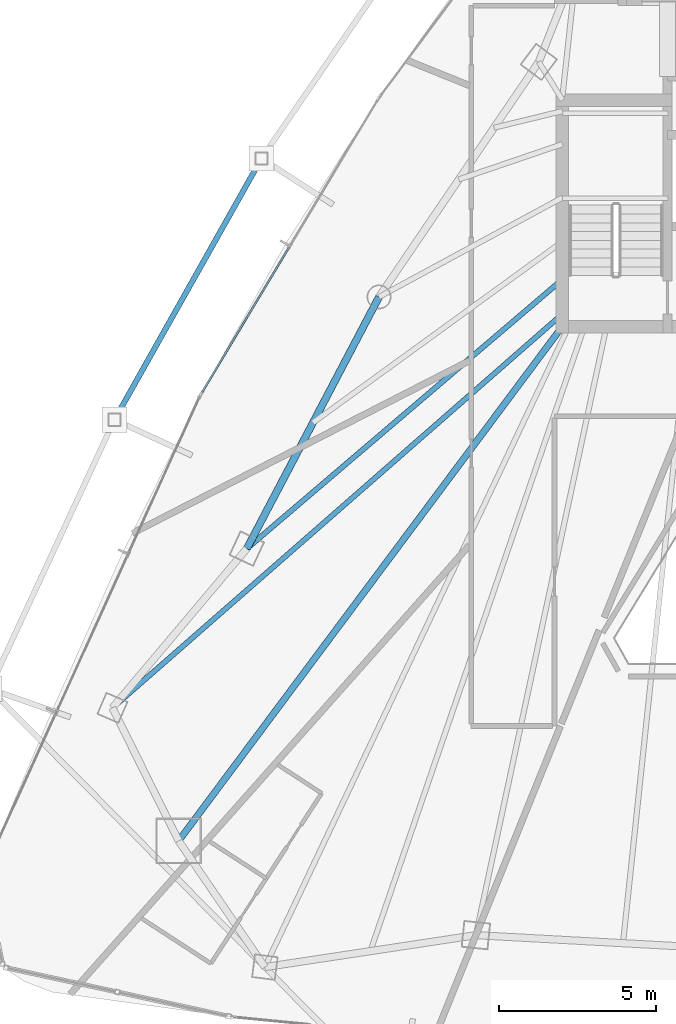
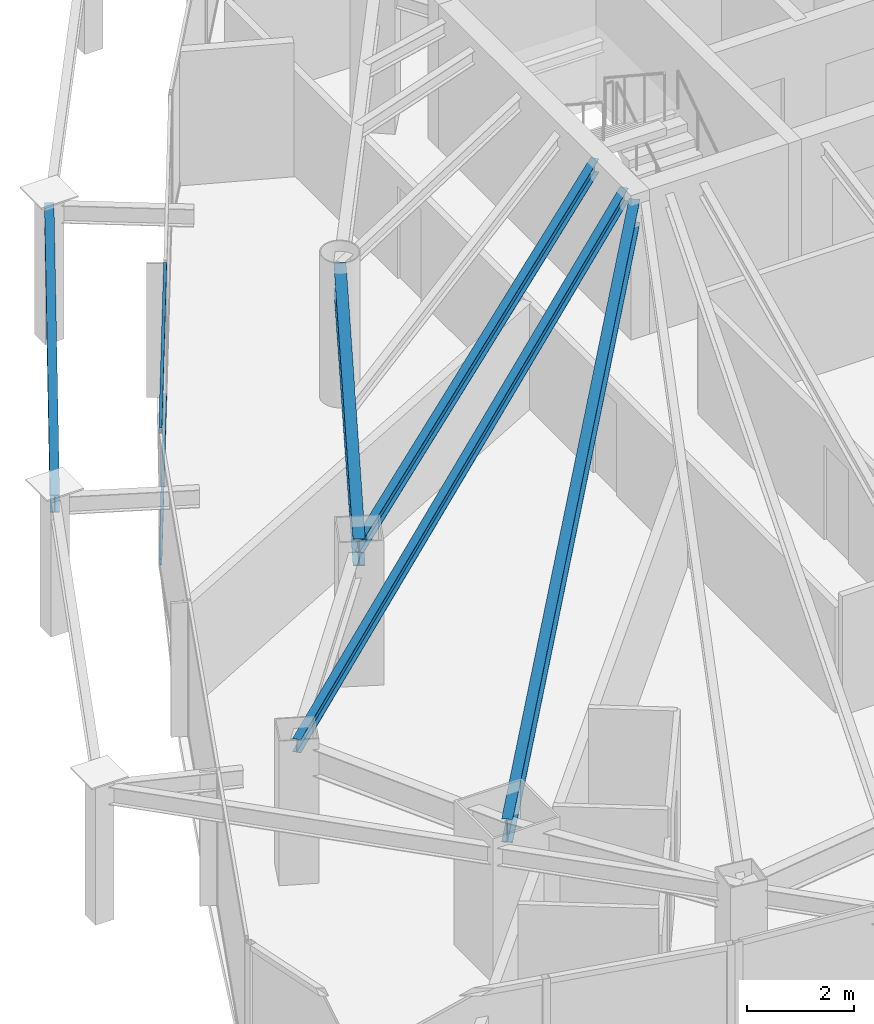
# One storey, part 11 of 31: 5 beams, 2 members, 1 element without a shape of its own.
"""IFC4 building model written with IfcOpenShell, lengths in metres."""

from ifc_helpers import new_model, si_unit, direction, frame, origin, origin_2d, place, context, subcontext, project, spatial, hollow_rectangle, i_section, extrude, material, layer, layer_set, material_profile, profile_set, type_object, element, aggregate, save


model = new_model("IFC4")

# Units and contexts
model_context = context("Model", 3, precision=1e-05, world=origin(), true_north=direction((0.0, 1.0)))
body_context = subcontext(model_context, "Body", "Model", "MODEL_VIEW")
ifc_project = project(units=[si_unit("LENGTHUNIT", "METRE"), si_unit("AREAUNIT", "SQUARE_METRE"), si_unit("VOLUMEUNIT", "CUBIC_METRE"), si_unit("PLANEANGLEUNIT", "RADIAN"), si_unit("MASSUNIT", "GRAM", prefix="KILO")], contexts=[model_context])

# Site, building, storey
site_placement = place(None, origin())
site = spatial("IfcSite", under=ifc_project, at=site_placement, CompositionType="ELEMENT")
building_placement = place(site_placement, origin())
building = spatial("IfcBuilding", under=site, at=building_placement, Name="Orvanel Arch Residences", CompositionType="ELEMENT")
storey_placement = place(building_placement, frame((0.0, 0.0, 157.25)))
storey = spatial("IfcBuildingStorey", under=building, at=storey_placement, Name="L44", CompositionType="ELEMENT", Elevation=157.25)

# Beams
ifc_material_1 = material(Name="Structural steel AS/NZS 3679.1 Grade 300 (300 MPa)", Category="steel")
ifc_material_profile_1 = material_profile(ifc_material_1, i_section(OverallWidth=0.208984375, OverallDepth=0.532958984375, WebThickness=0.01025390625, FlangeThickness=0.015625, at=origin_2d()), Name="530UB92.4")
ifc_profile_set_1 = profile_set([ifc_material_profile_1], Name="Structural steel AS/NZS 3679.1 Grade 300 (300 MPa)")
beam_type_1 = type_object("IfcBeamType", Name="BG-530UB", PredefinedType="BEAM", material=ifc_profile_set_1)
beam_1_placement = place(storey_placement, frame((26.375, 26.675048828125, 2.79296875), z_axis=(-0.597893733742, -0.801575375839, 0.0), x_axis=(0.801575375839, -0.597893733742, 0.0)))
element("IfcBeam", 1, at=beam_1_placement, inside=storey, type_object=beam_type_1, Name="L44 South-West Radial Girder", PredefinedType="BEAM", context=body_context, shape_type="SweptSolid", body=[
    extrude(i_section(OverallWidth=0.208984375, OverallDepth=0.532958984375, WebThickness=0.01025390625, FlangeThickness=0.015625, at=origin_2d()), origin(), (0.0, 0.0, 1.0), 20.36474609375),
])
ifc_material_profile_2 = material_profile(ifc_material_1, i_section(OverallWidth=0.1650390625, OverallDepth=0.303955078125, WebThickness=0.006103515625, FlangeThickness=0.01025390625, at=origin_2d()), Name="310UB40.4")
ifc_profile_set_2 = profile_set([ifc_material_profile_2], Name="Structural steel AS/NZS 3679.1 Grade 300 (300 MPa)")
beam_type_2 = type_object("IfcBeamType", Name="BJ-310UB", PredefinedType="JOIST", material=ifc_profile_set_2)
beam_2_placement = place(storey_placement, frame((26.39990234375, 28.199951171875, 2.907958984375), z_axis=(-0.760821315761, -0.648961420644, 0.0), x_axis=(0.648961420644, -0.760821315761, 0.0)))
element("IfcBeam", 2, at=beam_2_placement, inside=storey, type_object=beam_type_2, Name="L44 W Wing Floor Joist", PredefinedType="JOIST", context=body_context, shape_type="SweptSolid", body=[
    extrude(i_section(OverallWidth=0.1650390625, OverallDepth=0.303955078125, WebThickness=0.006103515625, FlangeThickness=0.01025390625, at=origin_2d()), origin(), (0.0, 0.0, 1.0), 13.18701171875),
])
beam_3_placement = place(storey_placement, frame((26.39990234375, 27.10009765625, 2.907958984375), z_axis=(-0.752493154183, -0.658600070534, 0.0), x_axis=(0.658600070534, -0.752493154183, 0.0)))
element("IfcBeam", 3, at=beam_3_placement, inside=storey, type_object=beam_type_2, Name="L44 MW Wing Floor Joist", PredefinedType="JOIST", context=body_context, shape_type="SweptSolid", body=[
    extrude(i_section(OverallWidth=0.1650390625, OverallDepth=0.303955078125, WebThickness=0.006103515625, FlangeThickness=0.01025390625, at=origin_2d()), origin(), (0.0, 0.0, 1.0), 19.010009765625),
])
ifc_material_profile_3 = material_profile(ifc_material_1, i_section(OverallWidth=0.177978515625, OverallDepth=0.406005859375, WebThickness=0.0078125, FlangeThickness=0.0126953125, at=origin_2d()), Name="410UB59.7")
ifc_profile_set_3 = profile_set([ifc_material_profile_3], Name="Structural steel AS/NZS 3679.1 Grade 300 (300 MPa)")
beam_type_3 = type_object("IfcBeamType", Name="OB-410UB-EXT", PredefinedType="SPANDREL", material=ifc_profile_set_3)
beam_4_placement = place(storey_placement, frame((16.8330078125, 32.0419921875, 2.85693359375), z_axis=(-0.490430320269, -0.871480407675, 0.0), x_axis=(0.871480407675, -0.490430320269, 0.0)))
element("IfcBeam", 4, at=beam_4_placement, inside=storey, type_object=beam_type_3, Name="L44 Outer Perimeter Floor Ring Beam 02", PredefinedType="SPANDREL", context=body_context, shape_type="SweptSolid", body=[
    extrude(i_section(OverallWidth=0.177978515625, OverallDepth=0.406005859375, WebThickness=0.0078125, FlangeThickness=0.0126953125, at=origin_2d()), origin(), (0.0, 0.0, 1.0), 9.528564453125),
])
ifc_material_profile_4 = material_profile(ifc_material_1, i_section(OverallWidth=0.22900390625, OverallDepth=0.612060546875, WebThickness=0.011962890625, FlangeThickness=0.01953125, at=origin_2d()), Name="610UB125")
ifc_profile_set_4 = profile_set([ifc_material_profile_4], Name="Structural steel AS/NZS 3679.1 Grade 300 (300 MPa)")
beam_type_4 = type_object("IfcBeamType", Name="SP-610UB", PredefinedType="SPANDREL", material=ifc_profile_set_4)
beam_5_placement = place(storey_placement, frame((20.569091796875, 27.64111328125, 2.75390625), z_axis=(-0.465064762793, -0.885276660942, 0.0), x_axis=(0.885276660942, -0.465064762793, 0.0)))
element("IfcBeam", 5, at=beam_5_placement, inside=storey, type_object=beam_type_4, Name="L44 Perimeter Spandrel Beam 18", PredefinedType="SPANDREL", context=body_context, shape_type="SweptSolid", body=[
    extrude(i_section(OverallWidth=0.22900390625, OverallDepth=0.612060546875, WebThickness=0.011962890625, FlangeThickness=0.01953125, at=origin_2d()), origin(), (0.0, 0.0, 1.0), 9.03564453125),
])

# Curtain wall, members
ifc_material_2 = material(Name="Bronze-anodised aluminium AA6063-T6", Category="aluminium")
ifc_layer = layer(ifc_material_2, 0.179931640625)
ifc_layer_set = layer_set([ifc_layer], Name="Bronze-anodised aluminium AA6063-T6")
curtain_wall_type = type_object("IfcCurtainWallType", Name="CW3-MID-SYS", PredefinedType="NOTDEFINED", material=ifc_layer_set)
curtain_wall_placement = place(storey_placement, origin())
curtain_wall = element("IfcCurtainWall", 6, at=curtain_wall_placement, inside=storey, type_object=curtain_wall_type, Name="L44 CW3-MID-SYS Unitised Curtain Wall", PredefinedType="NOTDEFINED")
ifc_material_profile_5 = material_profile(ifc_material_2, hollow_rectangle(XDim=0.06005859375, YDim=0.135009765625, WallThickness=0.00390625, at=origin_2d()), Name="ALU135x60x4")
ifc_profile_set_5 = profile_set([ifc_material_profile_5], Name="Bronze-anodised aluminium AA6063-T6")
member_type = type_object("IfcMemberType", Name="TRN-135x60", PredefinedType="USERDEFINED", material=ifc_profile_set_5)
member_1_placement = place(storey_placement, frame((17.712890625, 29.22705078125, 0.030029296875), z_axis=(-0.51440247566, -0.857548886673, 0.0), x_axis=(0.857548886673, -0.51440247566, 0.0)))
member_1 = element("IfcMember", 7, at=member_1_placement, type_object=member_type, Name="CW-S3 transom 2.1", ObjectType="TRANSOM", PredefinedType="USERDEFINED", context=body_context, shape_type="SweptSolid", body=[
    extrude(hollow_rectangle(XDim=0.06005859375, YDim=0.135009765625, WallThickness=0.00390625, at=origin_2d()), origin(), (0.0, 0.0, 1.0), 5.388671875),
])
member_2_placement = place(storey_placement, frame((17.712890625, 29.22705078125, 3.030029296875), z_axis=(-0.51440247566, -0.857548886673, 0.0), x_axis=(0.857548886673, -0.51440247566, 0.0)))
member_2 = element("IfcMember", 8, at=member_2_placement, type_object=member_type, Name="CW-S3 transom 2.2", ObjectType="TRANSOM", PredefinedType="USERDEFINED", context=body_context, shape_type="SweptSolid", body=[
    extrude(hollow_rectangle(XDim=0.06005859375, YDim=0.135009765625, WallThickness=0.00390625, at=origin_2d()), origin(), (0.0, 0.0, 1.0), 5.388671875),
])
aggregate(curtain_wall, [member_1, member_2])

save(model, "model.ifc")
